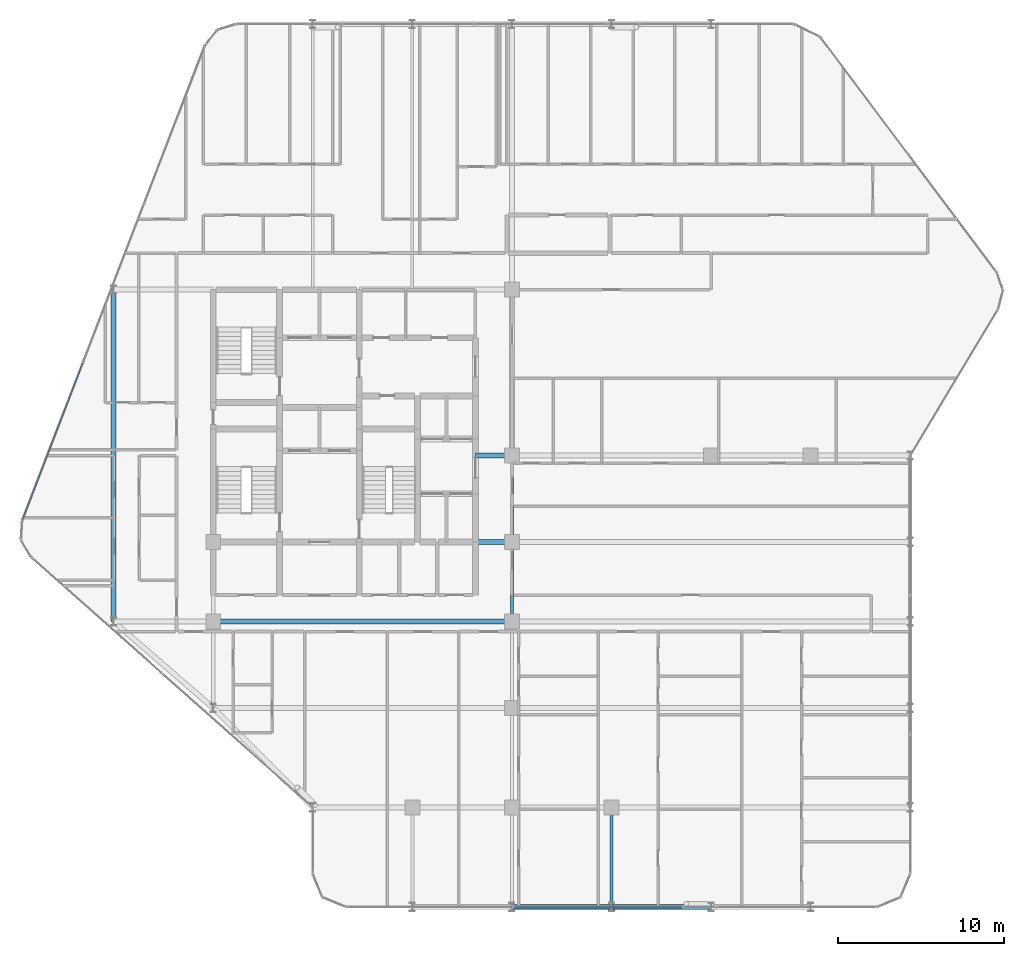
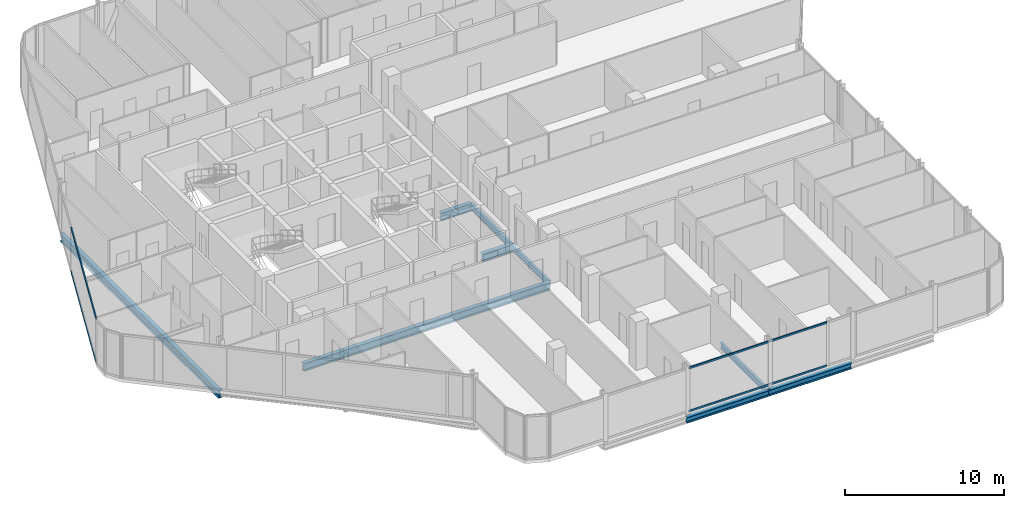
# One storey, part 8 of 31: 9 beams, 4 members, 2 elements without a shape of their own.
"""IFC4 building model written with IfcOpenShell, lengths in metres."""

from ifc_helpers import new_model, si_unit, direction, frame, origin, origin_2d, place, context, subcontext, project, spatial, hollow_rectangle, i_section, extrude, material, layer, layer_set, material_profile, profile_set, type_object, element, aggregate, save


model = new_model("IFC4")

# Units and contexts
model_context = context("Model", 3, precision=1e-05, world=origin(), true_north=direction((0.0, 1.0)))
body_context = subcontext(model_context, "Body", "Model", "MODEL_VIEW")
ifc_project = project(units=[si_unit("LENGTHUNIT", "METRE"), si_unit("AREAUNIT", "SQUARE_METRE"), si_unit("VOLUMEUNIT", "CUBIC_METRE"), si_unit("PLANEANGLEUNIT", "RADIAN"), si_unit("MASSUNIT", "GRAM", prefix="KILO")], contexts=[model_context])

# Site, building, storey
site_placement = place(None, origin())
site = spatial("IfcSite", under=ifc_project, at=site_placement, CompositionType="ELEMENT")
building_placement = place(site_placement, origin())
building = spatial("IfcBuilding", under=site, at=building_placement, Name="Keshet Zoharim Tower", CompositionType="ELEMENT")
storey_placement = place(building_placement, frame((0.0, 0.0, 144.60009765625)))
storey = spatial("IfcBuildingStorey", under=building, at=storey_placement, Name="L35", CompositionType="ELEMENT", Elevation=144.60009765625)

# Beams
ifc_material_1 = material(Name="Steel S355", Category="steel")
ifc_material_profile_1 = material_profile(ifc_material_1, i_section(OverallWidth=0.300048828125, OverallDepth=0.60009765625, WebThickness=0.015380859375, FlangeThickness=0.030029296875, FilletRadius=0.027099609375, at=origin_2d()), Name="HEB600")
ifc_profile_set_1 = profile_set([ifc_material_profile_1], Name="Steel S355")
beam_type_1 = type_object("IfcBeamType", Name="BM-CLK-HB600", PredefinedType="BEAM", material=ifc_profile_set_1)
for number, where, z_axis, x_axis, name in (
    (1, (30.800048828125, 22.699951171875, -0.614990234375), (1.0, 0.0, 0.0), (0.0, 1.0, 0.0), "L35 Core Wall Link Girder 01"),
    (2, (30.800048828125, 27.89990234375, -0.614990234375), (1.0, 0.0, 0.0), (0.0, 1.0, 0.0), "L35 Core Wall Link Girder 02"),
):
    element("IfcBeam", number, at=place(storey_placement, frame(where, z_axis=z_axis, x_axis=x_axis)), inside=storey, type_object=beam_type_1, Name=name, PredefinedType="BEAM", context=body_context, shape_type="SweptSolid", body=[
        extrude(i_section(OverallWidth=0.300048828125, OverallDepth=0.60009765625, WebThickness=0.015380859375, FlangeThickness=0.030029296875, FilletRadius=0.027099609375, at=origin_2d()), origin(), (0.0, 0.0, 1.0), 2.199951171875),
    ])
ifc_material_profile_2 = material_profile(ifc_material_1, i_section(OverallWidth=0.300048828125, OverallDepth=0.60009765625, WebThickness=0.015380859375, FlangeThickness=0.030029296875, FilletRadius=0.027099609375, at=origin_2d()), Name="HEB600")
ifc_profile_set_2 = profile_set([ifc_material_profile_2], Name="Steel S355")
beam_type_2 = type_object("IfcBeamType", Name="BM-LNG-HB600", PredefinedType="BEAM", material=ifc_profile_set_2)
beam_1_placement = place(storey_placement, frame((15.0, 17.89990234375, -0.614990234375), z_axis=(1.0, 0.0, 0.0), x_axis=(0.0, 1.0, 0.0)))
element("IfcBeam", 3, at=beam_1_placement, inside=storey, type_object=beam_type_2, Name="L35 Primary Girder X-012", PredefinedType="BEAM", context=body_context, shape_type="SweptSolid", body=[
    extrude(i_section(OverallWidth=0.300048828125, OverallDepth=0.60009765625, WebThickness=0.015380859375, FlangeThickness=0.030029296875, FilletRadius=0.027099609375, at=origin_2d()), origin(), (0.0, 0.0, 1.0), 18.0),
])
beam_2_placement = place(storey_placement, frame((9.0, 17.89990234375, -0.614990234375), z_axis=(0.0, 1.0, 0.0), x_axis=(-1.0, 0.0, 0.0)))
element("IfcBeam", 4, at=beam_2_placement, inside=storey, type_object=beam_type_2, Name="L35 Primary Girder Y-001", PredefinedType="BEAM", context=body_context, shape_type="SweptSolid", body=[
    extrude(i_section(OverallWidth=0.300048828125, OverallDepth=0.60009765625, WebThickness=0.015380859375, FlangeThickness=0.030029296875, FilletRadius=0.027099609375, at=origin_2d()), origin(), (0.0, 0.0, 1.0), 20.0),
])
ifc_material_profile_3 = material_profile(ifc_material_1, i_section(OverallWidth=0.18994140625, OverallDepth=0.449951171875, WebThickness=0.009521484375, FlangeThickness=0.0146484375, FilletRadius=0.02099609375, at=origin_2d()), Name="IPE450")
ifc_profile_set_3 = profile_set([ifc_material_profile_3], Name="Steel S355")
beam_type_3 = type_object("IfcBeamType", Name="BM-PRI-IP450", PredefinedType="BEAM", material=ifc_profile_set_3)
beam_3_placement = place(storey_placement, frame((33.0, 17.89990234375, -0.5400390625), z_axis=(0.0, 1.0, 0.0), x_axis=(-1.0, 0.0, 0.0)))
element("IfcBeam", 5, at=beam_3_placement, inside=storey, type_object=beam_type_3, Name="L35 Primary Girder Y-008", PredefinedType="BEAM", context=body_context, shape_type="SweptSolid", body=[
    extrude(i_section(OverallWidth=0.18994140625, OverallDepth=0.449951171875, WebThickness=0.009521484375, FlangeThickness=0.0146484375, FilletRadius=0.02099609375, at=origin_2d()), origin(), (0.0, 0.0, 1.0), 4.800048828125),
])
beam_4_placement = place(storey_placement, frame((33.0, 22.699951171875, -0.5400390625), z_axis=(0.0, 1.0, 0.0), x_axis=(-1.0, 0.0, 0.0)))
element("IfcBeam", 6, at=beam_4_placement, inside=storey, type_object=beam_type_3, Name="L35 Primary Girder Y-009", PredefinedType="BEAM", context=body_context, shape_type="SweptSolid", body=[
    extrude(i_section(OverallWidth=0.18994140625, OverallDepth=0.449951171875, WebThickness=0.009521484375, FlangeThickness=0.0146484375, FilletRadius=0.02099609375, at=origin_2d()), origin(), (0.0, 0.0, 1.0), 5.199951171875),
])
beam_5_placement = place(storey_placement, frame((39.0, 0.699951171875, -0.5400390625), z_axis=(0.0, 1.0, 0.0), x_axis=(-1.0, 0.0, 0.0)))
element("IfcBeam", 7, at=beam_5_placement, inside=storey, type_object=beam_type_3, Name="L35 Primary Girder Y-012", PredefinedType="BEAM", context=body_context, shape_type="SweptSolid", body=[
    extrude(i_section(OverallWidth=0.18994140625, OverallDepth=0.449951171875, WebThickness=0.009521484375, FlangeThickness=0.0146484375, FilletRadius=0.02099609375, at=origin_2d()), origin(), (0.0, 0.0, 1.0), 6.0),
])
ifc_material_profile_4 = material_profile(ifc_material_1, i_section(OverallWidth=0.300048828125, OverallDepth=0.449951171875, WebThickness=0.013916015625, FlangeThickness=0.02587890625, FilletRadius=0.027099609375, at=origin_2d()), Name="HEB450")
ifc_profile_set_4 = profile_set([ifc_material_profile_4], Name="Steel S355")
beam_type_4 = type_object("IfcBeamType", Name="BM-WEB-HB450", PredefinedType="BEAM", material=ifc_profile_set_4)
for number, where, z_axis, x_axis, name in (
    (8, (33.0, 0.699951171875, -0.5400390625), (1.0, 0.0, 0.0), (0.0, 1.0, 0.0), "L35 Primary Girder X-002"),
    (9, (39.0, 0.699951171875, -0.5400390625), (1.0, 0.0, 0.0), (0.0, 1.0, 0.0), "L35 Primary Girder X-003"),
):
    element("IfcBeam", number, at=place(storey_placement, frame(where, z_axis=z_axis, x_axis=x_axis)), inside=storey, type_object=beam_type_4, Name=name, PredefinedType="BEAM", context=body_context, shape_type="SweptSolid", body=[
        extrude(i_section(OverallWidth=0.300048828125, OverallDepth=0.449951171875, WebThickness=0.013916015625, FlangeThickness=0.02587890625, FilletRadius=0.027099609375, at=origin_2d()), origin(), (0.0, 0.0, 1.0), 6.0),
    ])

# Curtain wall, members
ifc_material_2 = material(Name="Aluminium 6063-T6", Category="aluminium")
ifc_layer = layer(ifc_material_2, 0.159912109375)
ifc_layer_set = layer_set([ifc_layer], Name="Aluminium 6063-T6")
curtain_wall_type = type_object("IfcCurtainWallType", Name="CW-SYS-03", PredefinedType="NOTDEFINED", material=ifc_layer_set)
curtain_wall_1_placement = place(storey_placement, origin())
curtain_wall_1 = element("IfcCurtainWall", 10, at=curtain_wall_1_placement, inside=storey, type_object=curtain_wall_type, Name="L35 Unitised Curtain Wall 03 Part 3", PredefinedType="NOTDEFINED")
ifc_material_profile_5 = material_profile(ifc_material_2, hollow_rectangle(XDim=0.080078125, YDim=0.139892578125, WallThickness=0.00390625, at=origin_2d()), Name="TRN-80x140")
ifc_profile_set_5 = profile_set([ifc_material_profile_5], Name="Aluminium 6063-T6")
member_type = type_object("IfcMemberType", Name="CWT-T14", PredefinedType="USERDEFINED", material=ifc_profile_set_5)
member_1_placement = place(storey_placement, frame((43.251953125, 0.699951171875, 0.034912109375), z_axis=(-1.0, 0.0, 0.0), x_axis=(0.0, -1.0, 0.0)))
member_1 = element("IfcMember", 11, at=member_1_placement, type_object=member_type, Name="CW-03 transom 1.1", ObjectType="TRANSOM", PredefinedType="USERDEFINED", context=body_context, shape_type="SweptSolid", body=[
    extrude(hollow_rectangle(XDim=0.080078125, YDim=0.139892578125, WallThickness=0.00390625, at=origin_2d()), origin(), (0.0, 0.0, 1.0), 10.091064453125),
])
member_2_placement = place(storey_placement, frame((43.251953125, 0.699951171875, 3.349853515625), z_axis=(-1.0, 0.0, 0.0), x_axis=(0.0, -1.0, 0.0)))
member_2 = element("IfcMember", 12, at=member_2_placement, type_object=member_type, Name="CW-03 transom 1.2", ObjectType="TRANSOM", PredefinedType="USERDEFINED", context=body_context, shape_type="SweptSolid", body=[
    extrude(hollow_rectangle(XDim=0.080078125, YDim=0.139892578125, WallThickness=0.00390625, at=origin_2d()), origin(), (0.0, 0.0, 1.0), 10.091064453125),
])
aggregate(curtain_wall_1, [member_1, member_2])

curtain_wall_2_placement = place(storey_placement, origin())
curtain_wall_2 = element("IfcCurtainWall", 13, at=curtain_wall_2_placement, inside=storey, type_object=curtain_wall_type, Name="L35 Unitised Curtain Wall 10", PredefinedType="NOTDEFINED")
member_3_placement = place(storey_placement, frame((3.522216796875, 24.058349609375, 0.034912109375), z_axis=(0.358993631387, 0.93334000912, 0.0), x_axis=(-0.93334000912, 0.358993631387, 0.0)))
member_3 = element("IfcMember", 14, at=member_3_placement, type_object=member_type, Name="CW-03 transom 1.1", ObjectType="TRANSOM", PredefinedType="USERDEFINED", context=body_context, shape_type="SweptSolid", body=[
    extrude(hollow_rectangle(XDim=0.080078125, YDim=0.139892578125, WallThickness=0.00390625, at=origin_2d()), origin(), (0.0, 0.0, 1.0), 10.1181640625),
])
member_4_placement = place(storey_placement, frame((3.522216796875, 24.058349609375, 3.349853515625), z_axis=(0.358993631387, 0.93334000912, 0.0), x_axis=(-0.93334000912, 0.358993631387, 0.0)))
member_4 = element("IfcMember", 15, at=member_4_placement, type_object=member_type, Name="CW-03 transom 1.2", ObjectType="TRANSOM", PredefinedType="USERDEFINED", context=body_context, shape_type="SweptSolid", body=[
    extrude(hollow_rectangle(XDim=0.080078125, YDim=0.139892578125, WallThickness=0.00390625, at=origin_2d()), origin(), (0.0, 0.0, 1.0), 10.1181640625),
])
aggregate(curtain_wall_2, [member_3, member_4])

save(model, "model.ifc")
